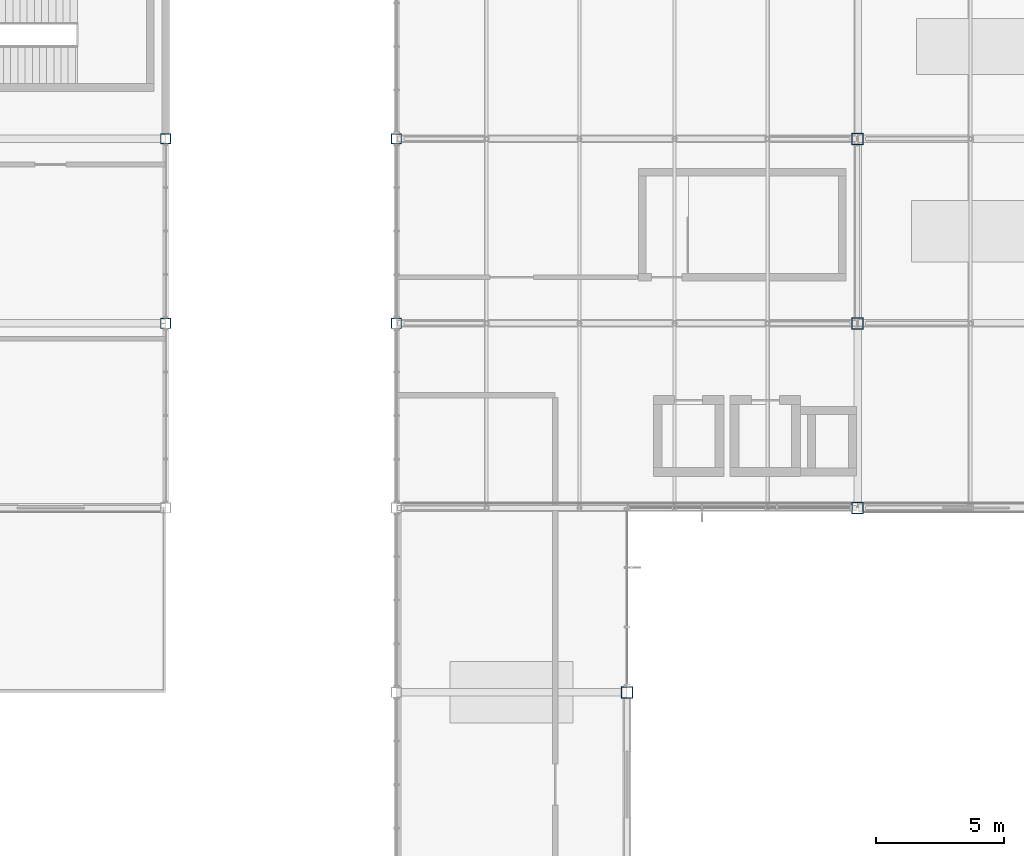
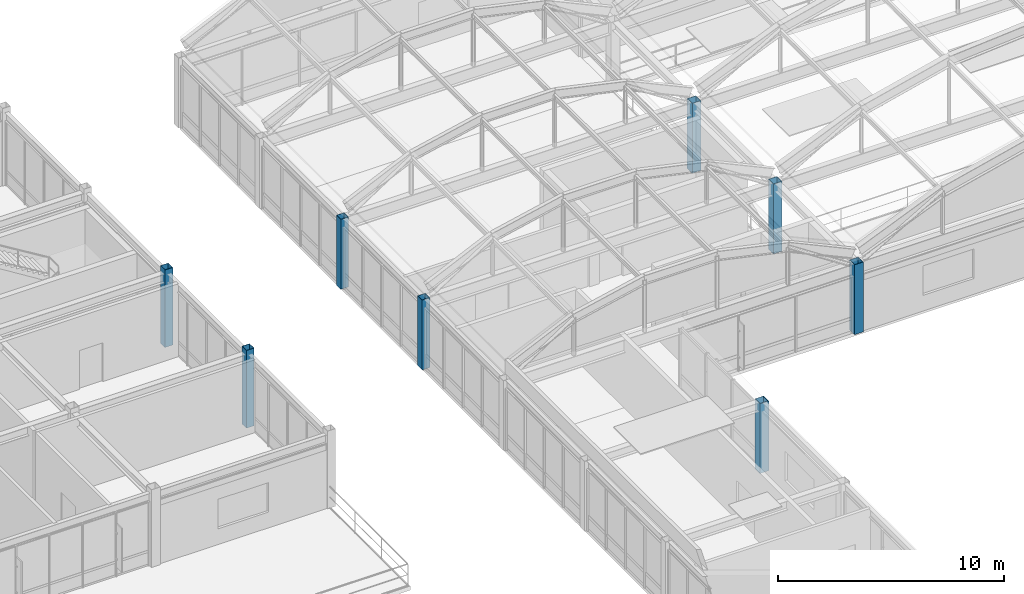
# One storey, part 3 of 106: 8 columns.
"""IFC4 building model written with IfcOpenShell, lengths in metres."""

from ifc_helpers import new_model, si_unit, direction, frame, origin, origin_2d, place, context, subcontext, project, spatial, hollow_rectangle, extrude, material, material_profile, profile_set, type_object, element, save


model = new_model("IFC4")

# Units and contexts
model_context = context("Model", 3, precision=1e-05, world=origin(), true_north=direction((0.0, 1.0)))
body_context = subcontext(model_context, "Body", "Model", "MODEL_VIEW")
ifc_project = project(units=[si_unit("LENGTHUNIT", "METRE"), si_unit("AREAUNIT", "SQUARE_METRE"), si_unit("VOLUMEUNIT", "CUBIC_METRE"), si_unit("PLANEANGLEUNIT", "RADIAN"), si_unit("MASSUNIT", "GRAM", prefix="KILO")], contexts=[model_context])

# Site, building, storey
site_placement = place(None, origin())
site = spatial("IfcSite", under=ifc_project, at=site_placement, CompositionType="ELEMENT")
building_placement = place(site_placement, origin())
building = spatial("IfcBuilding", under=site, at=building_placement, Name="Kazanami Central Library", CompositionType="ELEMENT")
storey_placement = place(building_placement, frame((0.0, 0.0, 12.800048828125)))
storey = spatial("IfcBuildingStorey", under=building, at=storey_placement, Name="L04", CompositionType="ELEMENT", Elevation=12.800048828125)

# Columns
ifc_material = material(Name="Steel BCP325 (325 MPa)", Category="steel")
ifc_material_profile_1 = material_profile(ifc_material, hollow_rectangle(XDim=0.39990234375, YDim=0.39990234375, WallThickness=0.01611328125, at=origin_2d()), Name="BCP-400x400x16")
ifc_profile_set_1 = profile_set([ifc_material_profile_1], Name="Steel BCP325 (325 MPa)")
column_type_1 = type_object("IfcColumnType", Name="COL-C-P3E", PredefinedType="COLUMN", material=ifc_profile_set_1)
for number, where, z_axis, x_axis, name in (
    (1, (36.0, 72.0, 0.0), (0.0, 0.0, 1.0), (1.0, 0.0, 0.0), "Column C-P3E L04 5/L"),
    (2, (36.0, 79.199951171875, 0.0), (0.0, 0.0, 1.0), (1.0, 0.0, 0.0), "Column C-P3E L04 5/M"),
):
    element("IfcColumn", number, at=place(storey_placement, frame(where, z_axis=z_axis, x_axis=x_axis)), inside=storey, type_object=column_type_1, Name=name, PredefinedType="COLUMN", context=body_context, shape_type="SweptSolid", body=[
        extrude(hollow_rectangle(XDim=0.39990234375, YDim=0.39990234375, WallThickness=0.01611328125, at=origin_2d()), origin(), (0.0, 0.0, 1.0), 4.199951171875),
    ])
for number, where, z_axis, x_axis, name in (
    (3, (45.0, 72.0, 0.0), (0.0, 0.0, 1.0), (1.0, 0.0, 0.0), "Column C-P3E L04 6/L"),
    (4, (45.0, 79.199951171875, 0.0), (0.0, 0.0, 1.0), (1.0, 0.0, 0.0), "Column C-P3E L04 6/M"),
):
    element("IfcColumn", number, at=place(storey_placement, frame(where, z_axis=z_axis, x_axis=x_axis)), inside=storey, type_object=column_type_1, Name=name, PredefinedType="COLUMN", context=body_context, shape_type="SweptSolid", body=[
        extrude(hollow_rectangle(XDim=0.39990234375, YDim=0.39990234375, WallThickness=0.01611328125, at=origin_2d()), origin(), (0.0, 0.0, 1.0), 3.780029296875),
    ])
ifc_material_profile_2 = material_profile(ifc_material, hollow_rectangle(XDim=0.449951171875, YDim=0.449951171875, WallThickness=0.01904296875, at=origin_2d()), Name="BCP-450x450x19")
ifc_profile_set_2 = profile_set([ifc_material_profile_2], Name="Steel BCP325 (325 MPa)")
column_type_2 = type_object("IfcColumnType", Name="COL-C-P3I", PredefinedType="COLUMN", material=ifc_profile_set_2)
for number, where, z_axis, x_axis, name in (
    (5, (54.0, 57.60009765625, 0.0), (0.0, 0.0, 1.0), (1.0, 0.0, 0.0), "Column C-P3I L04 7/J"),
    (6, (63.0, 64.800048828125, 0.0), (0.0, 0.0, 1.0), (1.0, 0.0, 0.0), "Column C-P3I L04 8/K"),
    (7, (63.0, 72.0, 0.0), (0.0, 0.0, 1.0), (1.0, 0.0, 0.0), "Column C-P3I L04 8/L"),
    (8, (63.0, 79.199951171875, 0.0), (0.0, 0.0, 1.0), (1.0, 0.0, 0.0), "Column C-P3I L04 8/M"),
):
    element("IfcColumn", number, at=place(storey_placement, frame(where, z_axis=z_axis, x_axis=x_axis)), inside=storey, type_object=column_type_2, Name=name, PredefinedType="COLUMN", context=body_context, shape_type="SweptSolid", body=[
        extrude(hollow_rectangle(XDim=0.449951171875, YDim=0.449951171875, WallThickness=0.01904296875, at=origin_2d()), origin(), (0.0, 0.0, 1.0), 3.780029296875),
    ])

save(model, "model.ifc")
